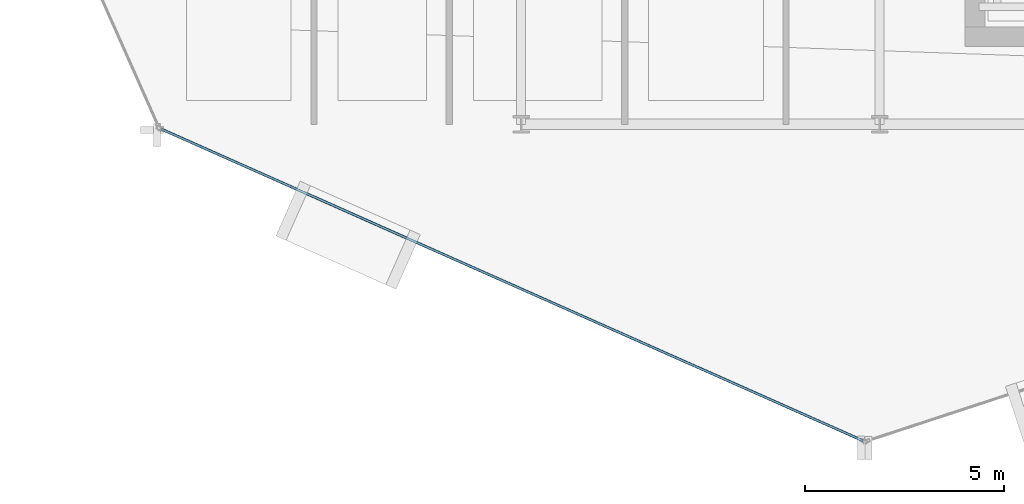
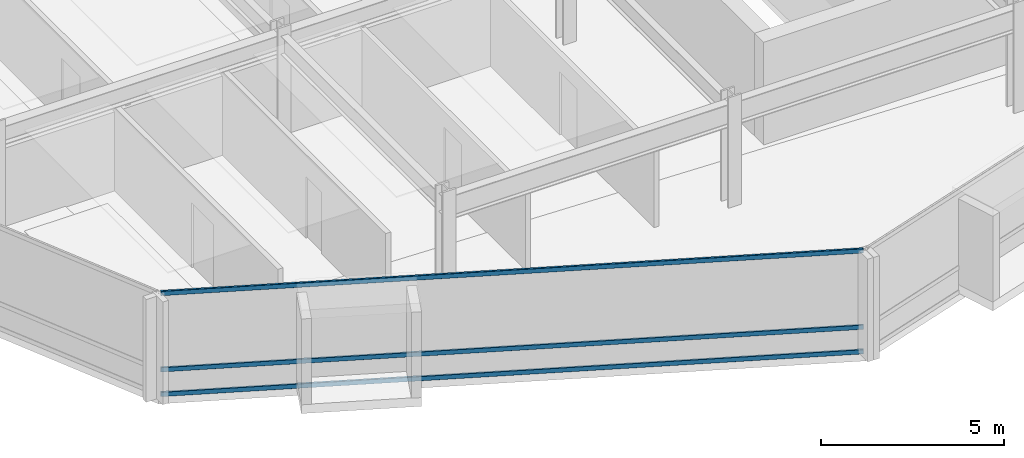
# One storey, part 3 of 28: 3 members, 1 element without a shape of its own.
"""IFC4 building model written with IfcOpenShell, lengths in metres."""

from ifc_helpers import new_model, si_unit, direction, frame, origin, origin_2d, place, context, subcontext, project, spatial, hollow_rectangle, extrude, material, layer, layer_set, material_profile, profile_set, type_object, element, aggregate, save


model = new_model("IFC4")

# Units and contexts
model_context = context("Model", 3, precision=1e-05, world=origin(), true_north=direction((0.0, 1.0)))
body_context = subcontext(model_context, "Body", "Model", "MODEL_VIEW")
ifc_project = project(units=[si_unit("LENGTHUNIT", "METRE"), si_unit("AREAUNIT", "SQUARE_METRE"), si_unit("VOLUMEUNIT", "CUBIC_METRE"), si_unit("PLANEANGLEUNIT", "RADIAN"), si_unit("MASSUNIT", "GRAM", prefix="KILO")], contexts=[model_context])

# Site, building, storey
site_placement = place(None, origin())
site = spatial("IfcSite", under=ifc_project, at=site_placement, CompositionType="ELEMENT")
building_placement = place(site_placement, origin())
building = spatial("IfcBuilding", under=site, at=building_placement, Name="Solvaryn Broadcast Tower", CompositionType="ELEMENT")
storey_placement = place(building_placement, frame((0.0, 0.0, 154.39990234375)))
storey = spatial("IfcBuildingStorey", under=building, at=storey_placement, Name="L38", CompositionType="ELEMENT", Elevation=154.39990234375)

# Curtain wall, members
ifc_material_1 = material(Name="Aluminium and Terracotta Unitised Curtain Wall", Category="masonry")
ifc_layer = layer(ifc_material_1, 0.199951171875)
ifc_layer_set = layer_set([ifc_layer], Name="CW-SYS2-LOWMID")
curtain_wall_type = type_object("IfcCurtainWallType", Name="CW-SYS2-LOWMID", PredefinedType="NOTDEFINED", material=ifc_layer_set)
curtain_wall_placement = place(storey_placement, origin())
curtain_wall = element("IfcCurtainWall", 1, at=curtain_wall_placement, inside=storey, type_object=curtain_wall_type, Name="L38 Curtain Wall DR3", PredefinedType="NOTDEFINED")
ifc_material_2 = material(Name="Anodised Aluminium 6063-T6", Category="aluminium")
ifc_material_profile = material_profile(ifc_material_2, hollow_rectangle(XDim=0.06494140625, YDim=0.14990234375, WallThickness=0.00390625, InnerFilletRadius=0.00390625, OuterFilletRadius=0.008056640625, at=origin_2d()))
ifc_profile_set = profile_set([ifc_material_profile], Name="Anodised Aluminium 6063-T6")
member_type = type_object("IfcMemberType", Name="CW-TRN-150", PredefinedType="USERDEFINED", material=ifc_profile_set)
member_1_placement = place(storey_placement, frame((8.962890625, 8.883544921875, 0.030029296875), z_axis=(0.913909703223, -0.405917546252, 0.0), x_axis=(0.405917546252, 0.913909703223, 0.0)))
member_1 = element("IfcMember", 2, at=member_1_placement, type_object=member_type, Name="CWS2 transom 1.1", ObjectType="TRANSOM", PredefinedType="USERDEFINED", context=body_context, shape_type="SweptSolid", body=[
    extrude(hollow_rectangle(XDim=0.06494140625, YDim=0.14990234375, WallThickness=0.00390625, InnerFilletRadius=0.00390625, OuterFilletRadius=0.008056640625, at=origin_2d()), origin(), (0.0, 0.0, 1.0), 19.27783203125),
])
member_2_placement = place(storey_placement, frame((8.962890625, 8.883544921875, 0.85009765625), z_axis=(0.913909703223, -0.405917546252, 0.0), x_axis=(0.405917546252, 0.913909703223, 0.0)))
member_2 = element("IfcMember", 3, at=member_2_placement, type_object=member_type, Name="CWS2 transom 1.2", ObjectType="TRANSOM", PredefinedType="USERDEFINED", context=body_context, shape_type="SweptSolid", body=[
    extrude(hollow_rectangle(XDim=0.06494140625, YDim=0.14990234375, WallThickness=0.00390625, InnerFilletRadius=0.00390625, OuterFilletRadius=0.008056640625, at=origin_2d()), origin(), (0.0, 0.0, 1.0), 19.27783203125),
])
member_3_placement = place(storey_placement, frame((8.962890625, 8.883544921875, 3.39013671875), z_axis=(0.913909703223, -0.405917546252, 0.0), x_axis=(0.405917546252, 0.913909703223, 0.0)))
member_3 = element("IfcMember", 4, at=member_3_placement, type_object=member_type, Name="CWS2 transom 1.3", ObjectType="TRANSOM", PredefinedType="USERDEFINED", context=body_context, shape_type="SweptSolid", body=[
    extrude(hollow_rectangle(XDim=0.06494140625, YDim=0.14990234375, WallThickness=0.00390625, InnerFilletRadius=0.00390625, OuterFilletRadius=0.008056640625, at=origin_2d()), origin(), (0.0, 0.0, 1.0), 19.27783203125),
])
aggregate(curtain_wall, [member_1, member_2, member_3])

save(model, "model.ifc")
